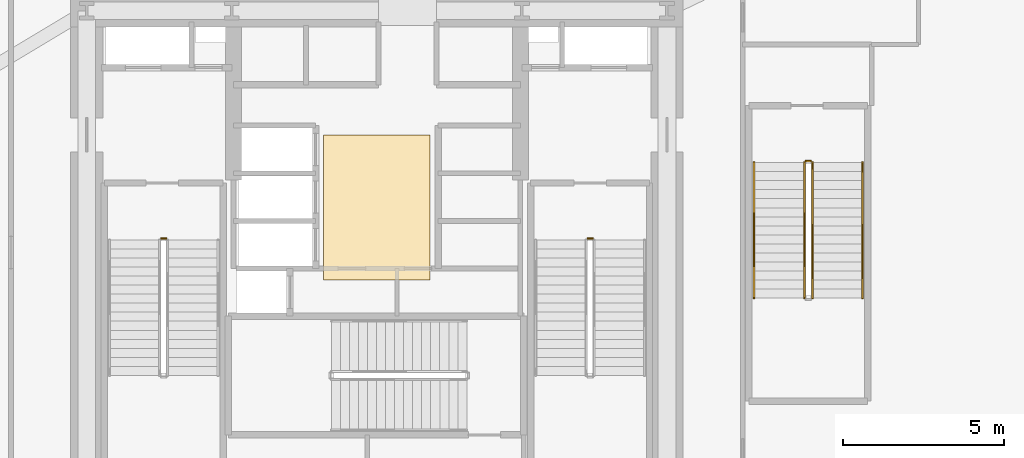
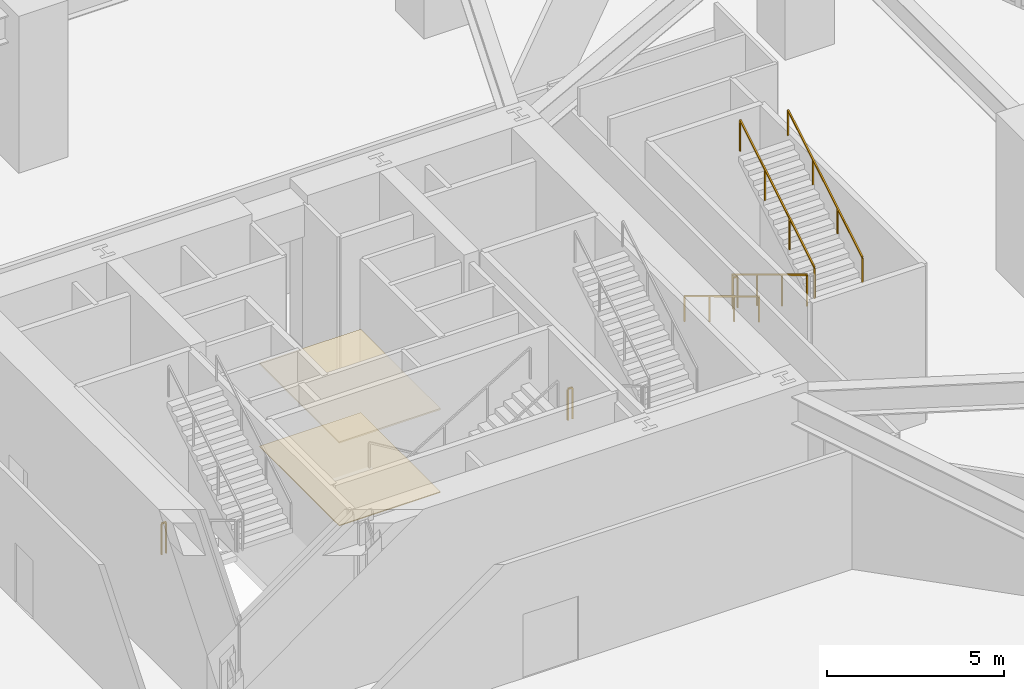
# One storey, part 34 of 34: 7 railings, 2 coverings.
"""IFC4 building model written with IfcOpenShell, lengths in metres."""

from ifc_helpers import new_model, si_unit, direction, frame, origin, origin_2d, place, context, subcontext, project, spatial, polyline, rectangle, outline, extrude, material, layer, layer_set, type_object, element, save


model = new_model("IFC4")

# Units and contexts
model_context = context("Model", 3, precision=1e-05, world=origin(), true_north=direction((0.0, 1.0)))
body_context = subcontext(model_context, "Body", "Model", "MODEL_VIEW")
ifc_project = project(units=[si_unit("LENGTHUNIT", "METRE"), si_unit("AREAUNIT", "SQUARE_METRE"), si_unit("VOLUMEUNIT", "CUBIC_METRE"), si_unit("PLANEANGLEUNIT", "RADIAN"), si_unit("MASSUNIT", "GRAM", prefix="KILO")], contexts=[model_context])

# Site, building, storey
site_placement = place(None, origin())
site = spatial("IfcSite", under=ifc_project, at=site_placement, CompositionType="ELEMENT")
building_placement = place(site_placement, origin())
building = spatial("IfcBuilding", under=site, at=building_placement, Name="Kilnhurst Terrace Hotel", CompositionType="ELEMENT")
storey_placement = place(building_placement, frame((0.0, 0.0, 6.0)))
storey = spatial("IfcBuildingStorey", under=building, at=storey_placement, Name="L01", CompositionType="ELEMENT", Elevation=6.0)

# Coverings
ifc_material_1 = material(Name="Perforated Micro-Acoustic Gypsum and Mineral Wool Ceiling")
ifc_layer_1 = layer(ifc_material_1, 0.050048828125, Name="Perforated Micro-Acoustic Gypsum and Mineral Wool Ceiling")
ifc_layer_set_1 = layer_set([ifc_layer_1], Name="Perforated Micro-Acoustic Gypsum and Mineral Wool Ceiling")
covering_type_1 = type_object("IfcCoveringType", Name="COV-CLG-AC60", PredefinedType="CEILING", material=ifc_layer_set_1)
covering_1_placement = place(storey_placement, frame((0.0, 0.0, 2.85009765625)))
element("IfcCovering", 1, at=covering_1_placement, inside=storey, type_object=covering_type_1, Name="L01 Lift Lobby Suspended Acoustic Ceiling", PredefinedType="CEILING", context=body_context, shape_type="SweptSolid", body=[
    extrude(outline(polyline([(-1.64990234375, -0.85009765625), (1.64990234375, -0.85009765625), (1.64990234375, 3.64990234375), (-1.64990234375, 3.64990234375), (-1.64990234375, -0.85009765625)])), origin(), (0.0, 0.0, 1.0), 0.0498046875),
])
ifc_material_2 = material(Name="Honed Texas Cream Limestone Tile Flooring", Category="masonry")
ifc_layer_2 = layer(ifc_material_2, 0.030029296875, Name="Honed Texas Cream Limestone Tile Flooring")
ifc_layer_set_2 = layer_set([ifc_layer_2], Name="Honed Texas Cream Limestone Tile Flooring")
covering_type_2 = type_object("IfcCoveringType", Name="COV-FLR-STN30", PredefinedType="FLOORING", material=ifc_layer_set_2)
covering_2_placement = place(storey_placement, origin())
element("IfcCovering", 2, at=covering_2_placement, inside=storey, type_object=covering_type_2, Name="L01 Lift Lobby Honed Limestone Flooring", PredefinedType="FLOORING", context=body_context, shape_type="SweptSolid", body=[
    extrude(outline(polyline([(-1.64990234375, -0.85009765625), (1.64990234375, -0.85009765625), (1.64990234375, 3.64990234375), (-1.64990234375, 3.64990234375), (-1.64990234375, -0.85009765625)])), origin(), (0.0, 0.0, 1.0), 0.030029296875),
])

# Railings
ifc_material_3 = material(Name="Powder-Coated Steel ASTM A500 Grade B", Category="steel")
ifc_layer_3 = layer(ifc_material_3, 0.050048828125, Name="Powder-Coated Steel ASTM A500 Grade B")
ifc_layer_set_3 = layer_set([ifc_layer_3], Name="Powder-Coated Steel ASTM A500 Grade B")
railing_type_1 = type_object("IfcRailingType", Name="RLG-ST-GRD-1100", PredefinedType="GUARDRAIL", material=ifc_layer_set_3)
for number, where, name in (
    (3, (-6.68994140625, 0.43994140625, 0.0), "L01 ST-1 stair guard 4"),
    (4, (6.5400390625, 0.43994140625, 0.0), "L01 ST-2 stair guard 4"),
):
    element("IfcRailing", number, at=place(storey_placement, frame(where)), inside=storey, type_object=railing_type_1, Name=name, PredefinedType="GUARDRAIL", context=body_context, shape_type="SweptSolid", body=[
        extrude(rectangle(XDim=0.048095703125, YDim=0.048095703125, at=origin_2d()), frame((0.0, 0.0, 1.076171875), z_axis=(1.0, 0.0, 0.0), x_axis=(0.0, 1.0, 0.0)), (0.0, 0.0, 1.0), 0.14990234375),
        extrude(rectangle(XDim=0.0419921875, YDim=0.0419921875, at=origin_2d()), origin(), (0.0, 0.0, 1.0), 1.052001953125),
        extrude(rectangle(XDim=0.0419921875, YDim=0.0419921875, at=origin_2d()), frame((0.14990234375, 0.0, 0.0)), (0.0, 0.0, 1.0), 1.052001953125),
    ])
railing_1_placement = place(storey_placement, frame((13.260009765625, 2.7900390625, 0.168701171875)))
element("IfcRailing", 5, at=railing_1_placement, inside=storey, type_object=railing_type_1, Name="L01 ST-4 stair guard 1", PredefinedType="GUARDRAIL", context=body_context, shape_type="SweptSolid", body=[
    extrude(rectangle(XDim=0.048095703125, YDim=0.048095703125, at=origin_2d()), frame((0.0, 0.0, 1.076171875), z_axis=(0.0, -0.856476492594, 0.516186030065), x_axis=(1.0, 0.0, 0.0)), (0.0, 0.0, 1.0), 4.90380859375),
    extrude(rectangle(XDim=0.0419921875, YDim=0.0419921875, at=origin_2d()), origin(), (0.0, 0.0, 1.0), 1.052001953125),
    extrude(rectangle(XDim=0.0419921875, YDim=0.0419921875, at=origin_2d()), frame((0.0, -1.39990234375, 0.84375)), (0.0, 0.0, 1.0), 1.052001953125),
    extrude(rectangle(XDim=0.0419921875, YDim=0.0419921875, at=origin_2d()), frame((0.0, -2.800048828125, 1.6875)), (0.0, 0.0, 1.0), 1.052001953125),
    extrude(rectangle(XDim=0.0419921875, YDim=0.0419921875, at=origin_2d()), frame((0.0, -4.199951171875, 2.53125)), (0.0, 0.0, 1.0), 1.052001953125),
])
railing_2_placement = place(storey_placement, frame((13.510009765625, -1.409912109375, 2.86865234375)))
element("IfcRailing", 6, at=railing_2_placement, inside=storey, type_object=railing_type_1, Name="L01 ST-4 stair guard 3", PredefinedType="GUARDRAIL", context=body_context, shape_type="SweptSolid", body=[
    extrude(rectangle(XDim=0.048095703125, YDim=0.048095703125, at=origin_2d()), frame((0.0, 0.0, 1.076171875), z_axis=(0.0, 0.856476492594, 0.516186030065), x_axis=(-1.0, 0.0, 0.0)), (0.0, 0.0, 1.0), 4.90380859375),
    extrude(rectangle(XDim=0.0419921875, YDim=0.0419921875, at=origin_2d()), origin(), (0.0, 0.0, 1.0), 1.052001953125),
    extrude(rectangle(XDim=0.0419921875, YDim=0.0419921875, at=origin_2d()), frame((0.0, 1.39990234375, 0.84375)), (0.0, 0.0, 1.0), 1.052001953125),
    extrude(rectangle(XDim=0.0419921875, YDim=0.0419921875, at=origin_2d()), frame((0.0, 2.800048828125, 1.6875)), (0.0, 0.0, 1.0), 1.052001953125),
    extrude(rectangle(XDim=0.0419921875, YDim=0.0419921875, at=origin_2d()), frame((0.0, 4.199951171875, 2.53125)), (0.0, 0.0, 1.0), 1.052001953125),
])
railing_3_placement = place(storey_placement, frame((13.31005859375, 2.840087890625, 0.0)))
element("IfcRailing", 7, at=railing_3_placement, inside=storey, type_object=railing_type_1, Name="L01 ST-4 stair guard 4", PredefinedType="GUARDRAIL", context=body_context, shape_type="SweptSolid", body=[
    extrude(rectangle(XDim=0.048095703125, YDim=0.048095703125, at=origin_2d()), frame((0.0, 0.0, 1.076171875), z_axis=(1.0, 0.0, 0.0), x_axis=(0.0, 1.0, 0.0)), (0.0, 0.0, 1.0), 0.14990234375),
    extrude(rectangle(XDim=0.0419921875, YDim=0.0419921875, at=origin_2d()), origin(), (0.0, 0.0, 1.0), 1.052001953125),
    extrude(rectangle(XDim=0.0419921875, YDim=0.0419921875, at=origin_2d()), frame((0.14990234375, 0.0, 0.0)), (0.0, 0.0, 1.0), 1.052001953125),
])
ifc_material_4 = material(Name="Brushed Stainless Steel AISI 304", Category="steel")
ifc_layer_4 = layer(ifc_material_4, 0.048095703125, Name="Brushed Stainless Steel AISI 304")
ifc_layer_set_4 = layer_set([ifc_layer_4], Name="Brushed Stainless Steel AISI 304")
railing_type_2 = type_object("IfcRailingType", Name="RLG-ST-HRL-900", PredefinedType="HANDRAIL", material=ifc_layer_set_4)
railing_4_placement = place(storey_placement, frame((11.699951171875, 2.7900390625, 0.168701171875)))
element("IfcRailing", 8, at=railing_4_placement, inside=storey, type_object=railing_type_2, Name="L01 ST-4 stair handrail 1", PredefinedType="HANDRAIL", context=body_context, shape_type="SweptSolid", body=[
    extrude(rectangle(XDim=0.048095703125, YDim=0.048095703125, at=origin_2d()), frame((0.0, 0.0, 0.8759765625), z_axis=(0.0, -0.856476492594, 0.516186030065), x_axis=(1.0, 0.0, 0.0)), (0.0, 0.0, 1.0), 4.90380859375),
    extrude(rectangle(XDim=0.0419921875, YDim=0.0419921875, at=origin_2d()), origin(), (0.0, 0.0, 1.0), 0.851806640625),
    extrude(rectangle(XDim=0.0419921875, YDim=0.0419921875, at=origin_2d()), frame((0.0, -1.39990234375, 0.84375)), (0.0, 0.0, 1.0), 0.851806640625),
    extrude(rectangle(XDim=0.0419921875, YDim=0.0419921875, at=origin_2d()), frame((0.0, -2.800048828125, 1.6875)), (0.0, 0.0, 1.0), 0.851806640625),
    extrude(rectangle(XDim=0.0419921875, YDim=0.0419921875, at=origin_2d()), frame((0.0, -4.199951171875, 2.53125)), (0.0, 0.0, 1.0), 0.851806640625),
])
railing_5_placement = place(storey_placement, frame((15.070068359375, -1.409912109375, 2.86865234375)))
element("IfcRailing", 9, at=railing_5_placement, inside=storey, type_object=railing_type_2, Name="L01 ST-4 stair handrail 2", PredefinedType="HANDRAIL", context=body_context, shape_type="SweptSolid", body=[
    extrude(rectangle(XDim=0.048095703125, YDim=0.048095703125, at=origin_2d()), frame((0.0, 0.0, 0.8759765625), z_axis=(0.0, 0.856476492594, 0.516186030065), x_axis=(-1.0, 0.0, 0.0)), (0.0, 0.0, 1.0), 4.90380859375),
    extrude(rectangle(XDim=0.0419921875, YDim=0.0419921875, at=origin_2d()), origin(), (0.0, 0.0, 1.0), 0.851806640625),
    extrude(rectangle(XDim=0.0419921875, YDim=0.0419921875, at=origin_2d()), frame((0.0, 1.39990234375, 0.84375)), (0.0, 0.0, 1.0), 0.851806640625),
    extrude(rectangle(XDim=0.0419921875, YDim=0.0419921875, at=origin_2d()), frame((0.0, 2.800048828125, 1.6875)), (0.0, 0.0, 1.0), 0.851806640625),
    extrude(rectangle(XDim=0.0419921875, YDim=0.0419921875, at=origin_2d()), frame((0.0, 4.199951171875, 2.53125)), (0.0, 0.0, 1.0), 0.851806640625),
])

save(model, "model.ifc")
